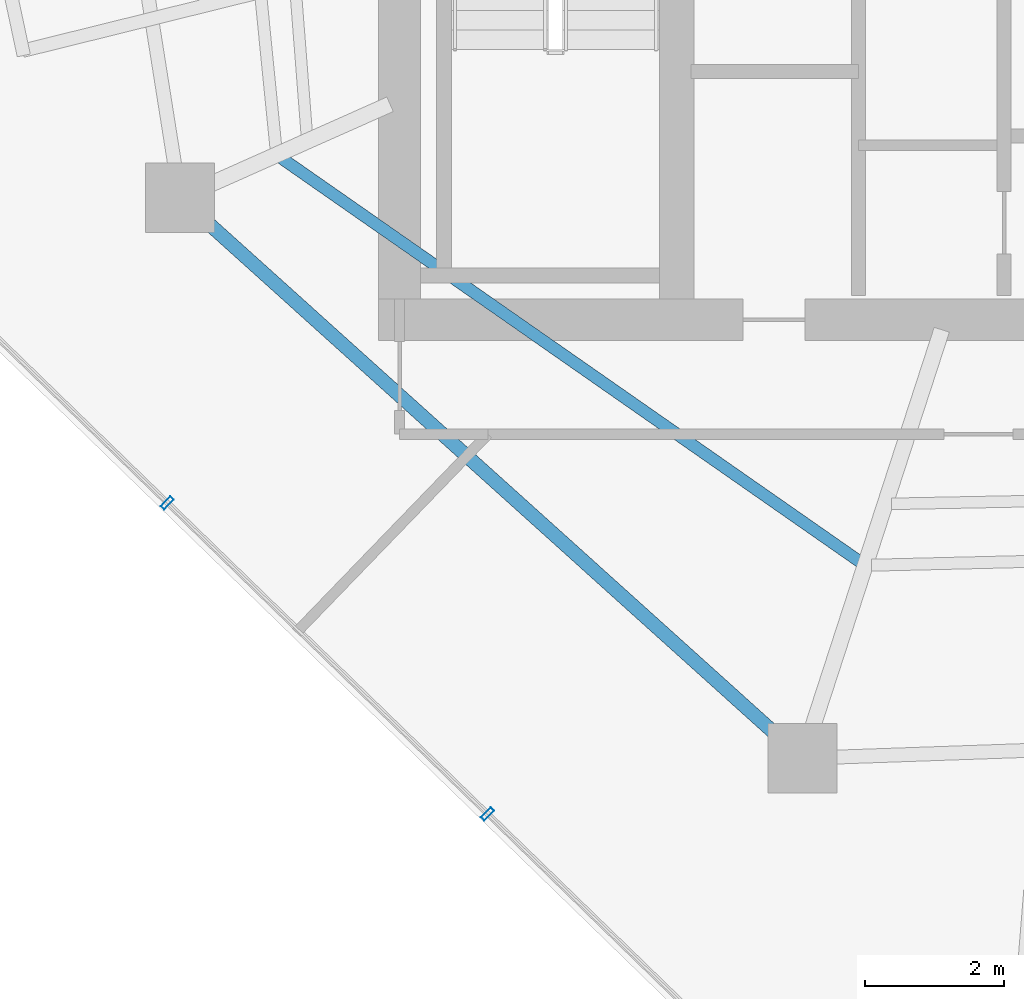
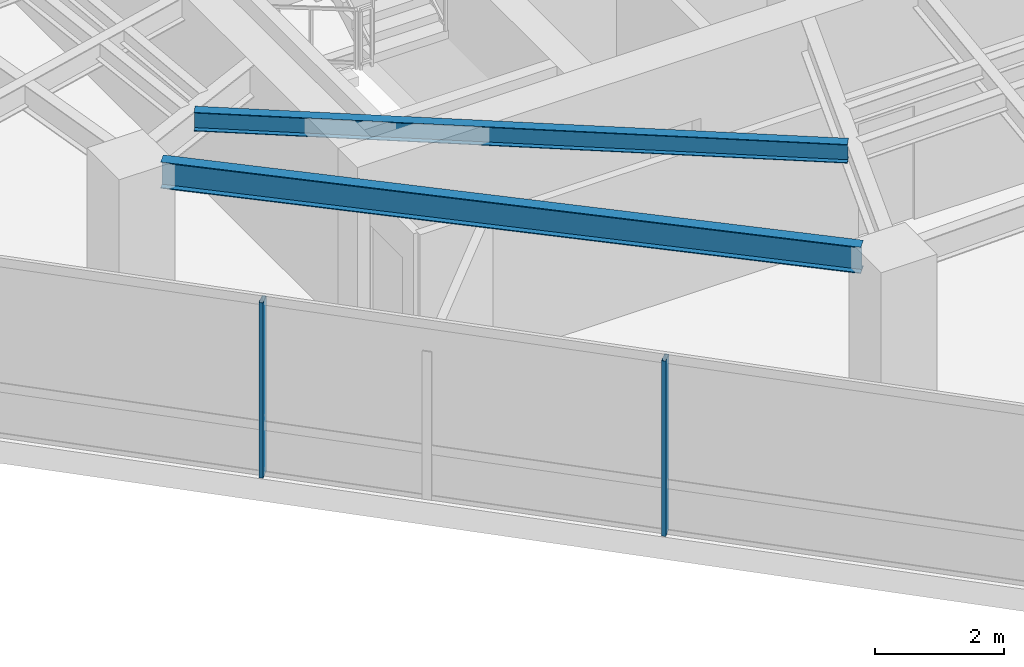
# One storey, part 2 of 19: 2 beams, 2 members, 1 element without a shape of its own.
"""IFC4 building model written with IfcOpenShell, lengths in metres."""

from ifc_helpers import new_model, si_unit, direction, frame, origin, origin_2d, place, context, subcontext, project, spatial, hollow_rectangle, i_section, extrude, material, layer, layer_set, material_profile, profile_set, type_object, element, aggregate, save


model = new_model("IFC4")

# Units and contexts
model_context = context("Model", 3, precision=1e-05, world=origin(), true_north=direction((0.0, 1.0)))
body_context = subcontext(model_context, "Body", "Model", "MODEL_VIEW")
ifc_project = project(units=[si_unit("LENGTHUNIT", "METRE"), si_unit("AREAUNIT", "SQUARE_METRE"), si_unit("VOLUMEUNIT", "CUBIC_METRE"), si_unit("PLANEANGLEUNIT", "RADIAN"), si_unit("MASSUNIT", "GRAM", prefix="KILO")], contexts=[model_context])

# Site, building, storey
site_placement = place(None, origin())
site = spatial("IfcSite", under=ifc_project, at=site_placement, CompositionType="ELEMENT")
building_placement = place(site_placement, origin())
building = spatial("IfcBuilding", under=site, at=building_placement, Name="Qarnah Convention Tower", CompositionType="ELEMENT")
storey_placement = place(building_placement, frame((0.0, 0.0, 125.699951171875)))
storey = spatial("IfcBuildingStorey", under=building, at=storey_placement, Name="L33", CompositionType="ELEMENT", Elevation=125.699951171875)

# Beams
ifc_material_1 = material(Name="Structural steel S355JR", Category="steel")
ifc_material_profile_1 = material_profile(ifc_material_1, i_section(OverallWidth=0.172119140625, OverallDepth=0.35595703125, WebThickness=0.007080078125, FlangeThickness=0.011962890625, at=origin_2d()), Name="W360X51")
ifc_profile_set_1 = profile_set([ifc_material_profile_1], Name="Structural steel S355JR")
beam_type_1 = type_object("IfcBeamType", Name="BM-JST-W360", PredefinedType="JOIST", material=ifc_profile_set_1)
beam_1_placement = place(storey_placement, frame((25.10107421875, 20.928955078125, 3.14208984375), z_axis=(0.820110709976, -0.572204878852, 0.0), x_axis=(0.572204878852, 0.820110709976, 0.0)))
element("IfcBeam", 1, at=beam_1_placement, inside=storey, type_object=beam_type_1, Name="L33 joist BM-L33-SJST-06", PredefinedType="JOIST", context=body_context, shape_type="SweptSolid", body=[
    extrude(i_section(OverallWidth=0.172119140625, OverallDepth=0.35595703125, WebThickness=0.007080078125, FlangeThickness=0.011962890625, at=origin_2d()), origin(), (0.0, 0.0, 1.0), 10.169189453125),
])
ifc_material_profile_2 = material_profile(ifc_material_1, i_section(OverallWidth=0.199951171875, OverallDepth=0.5, WebThickness=0.010009765625, FlangeThickness=0.01611328125, at=origin_2d()), Name="IPE500")
ifc_profile_set_2 = profile_set([ifc_material_profile_2], Name="Structural steel S355JR")
beam_type_2 = type_object("IfcBeamType", Name="BM-SPN-IPE500", PredefinedType="SPANDREL", material=ifc_profile_set_2)
beam_2_placement = place(storey_placement, frame((23.998046875, 20.031982421875, 3.070068359375), z_axis=(0.743165079224, -0.66910811161, 0.0), x_axis=(0.66910811161, 0.743165079224, 0.0)))
element("IfcBeam", 2, at=beam_2_placement, inside=storey, type_object=beam_type_2, Name="L33 spandrel BM-L33-SPN-06", PredefinedType="SPANDREL", context=body_context, shape_type="SweptSolid", body=[
    extrude(i_section(OverallWidth=0.199951171875, OverallDepth=0.5, WebThickness=0.010009765625, FlangeThickness=0.01611328125, at=origin_2d()), origin(), (0.0, 0.0, 1.0), 11.099853515625),
])

# Curtain wall, members
ifc_material_2 = material(Name="Tempered Low-E dark glass", Category="glass")
ifc_layer = layer(ifc_material_2, 0.172119140625)
ifc_layer_set = layer_set([ifc_layer], Name="Tempered Low-E dark glass")
curtain_wall_type = type_object("IfcCurtainWallType", Name="CWS-03", PredefinedType="NOTDEFINED", material=ifc_layer_set)
curtain_wall_placement = place(storey_placement, origin())
curtain_wall = element("IfcCurtainWall", 3, at=curtain_wall_placement, inside=storey, type_object=curtain_wall_type, Name="L33 unitised curtain wall CW-L33-F1", PredefinedType="NOTDEFINED")
ifc_material_3 = material(Name="Black anodised aluminium", Category="aluminium")
ifc_material_profile_3 = material_profile(ifc_material_3, hollow_rectangle(XDim=0.070068359375, YDim=0.199951171875, WallThickness=0.0048828125, at=origin_2d()), Name="MUL-70X200")
ifc_profile_set_3 = profile_set([ifc_material_profile_3], Name="Black anodised aluminium")
member_type = type_object("IfcMemberType", Name="MUL-T3", PredefinedType="MULLION", material=ifc_profile_set_3)
member_1_placement = place(storey_placement, frame((28.067626953125, 11.47265625, 0.0), z_axis=(0.0, 0.0, 1.0), x_axis=(-0.717389813993, 0.696671985068, 0.0)))
member_1 = element("IfcMember", 4, at=member_1_placement, type_object=member_type, Name="CW-L33-F1 mullion 3", PredefinedType="MULLION", context=body_context, shape_type="SweptSolid", body=[
    extrude(hollow_rectangle(XDim=0.070068359375, YDim=0.199951171875, WallThickness=0.0048828125, at=origin_2d()), origin(), (0.0, 0.0, 1.0), 3.320068359375),
])
member_2_placement = place(storey_placement, frame((23.448486328125, 15.95849609375, 0.0), z_axis=(0.0, 0.0, 1.0), x_axis=(-0.717389813993, 0.696671985068, 0.0)))
member_2 = element("IfcMember", 5, at=member_2_placement, type_object=member_type, Name="CW-L33-F1 mullion 4", PredefinedType="MULLION", context=body_context, shape_type="SweptSolid", body=[
    extrude(hollow_rectangle(XDim=0.070068359375, YDim=0.199951171875, WallThickness=0.0048828125, at=origin_2d()), origin(), (0.0, 0.0, 1.0), 3.320068359375),
])
aggregate(curtain_wall, [member_1, member_2])

save(model, "model.ifc")
